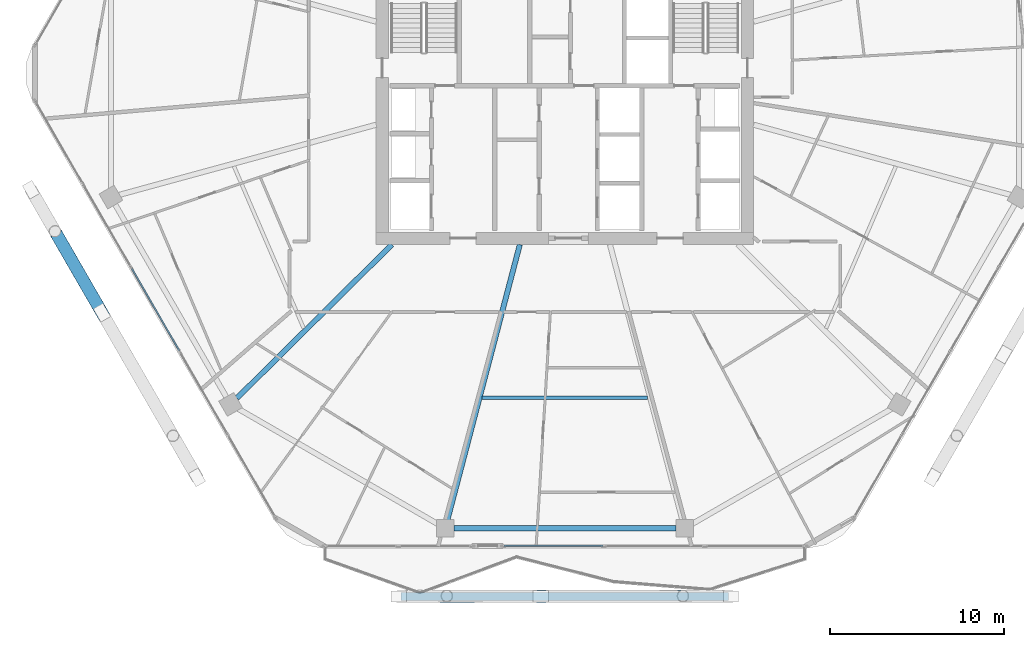
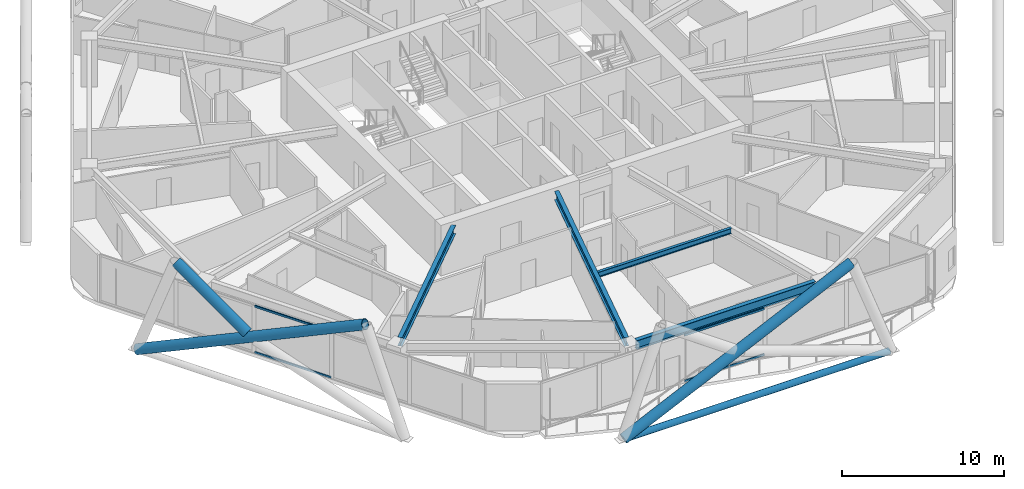
# One storey, part 4 of 29: 8 members, 4 beams, 2 elements without a shape of their own.
"""IFC4 building model written with IfcOpenShell, lengths in metres."""

from ifc_helpers import new_model, si_unit, direction, frame, origin, origin_2d, place, context, subcontext, project, spatial, hollow_rectangle, hollow_circle, i_section, extrude, material, material_profile, profile_set, type_object, element, aggregate, save


model = new_model("IFC4")

# Units and contexts
model_context = context("Model", 3, precision=1e-05, world=origin(), true_north=direction((0.0, 1.0)))
body_context = subcontext(model_context, "Body", "Model", "MODEL_VIEW")
ifc_project = project(units=[si_unit("LENGTHUNIT", "METRE"), si_unit("AREAUNIT", "SQUARE_METRE"), si_unit("VOLUMEUNIT", "CUBIC_METRE"), si_unit("PLANEANGLEUNIT", "RADIAN"), si_unit("MASSUNIT", "GRAM", prefix="KILO")], contexts=[model_context])

# Site, building, storey
site_placement = place(None, origin())
site = spatial("IfcSite", under=ifc_project, at=site_placement, CompositionType="ELEMENT")
building_placement = place(site_placement, origin())
building = spatial("IfcBuilding", under=site, at=building_placement, Name="Zuhravey Tower", CompositionType="ELEMENT")
storey_placement = place(building_placement, frame((0.0, 0.0, 161.800048828125)))
storey = spatial("IfcBuildingStorey", under=building, at=storey_placement, Name="L40", CompositionType="ELEMENT", Elevation=161.800048828125)

# Curtain wall, members
ifc_material_1 = material(Name="Thermally broken anodised aluminium", Category="aluminium")
curtain_wall_type = type_object("IfcCurtainWallType", Name="Zone 1-2 Residential Curtain Wall CW3", PredefinedType="NOTDEFINED", material=ifc_material_1)
curtain_wall_1_placement = place(storey_placement, origin())
curtain_wall_1 = element("IfcCurtainWall", 1, at=curtain_wall_1_placement, inside=storey, type_object=curtain_wall_type, Name="L40 CW3 CW-L40-F5-1", PredefinedType="NOTDEFINED")
ifc_material_2 = material(Name="Anodised aluminium", Category="aluminium")
ifc_material_profile_1 = material_profile(ifc_material_2, hollow_rectangle(XDim=0.090087890625, YDim=0.14990234375, WallThickness=0.0048828125, at=origin_2d()), Name="ALU-RHS-90x150x5")
ifc_profile_set_1 = profile_set([ifc_material_profile_1], Name="Anodised aluminium")
member_type_1 = type_object("IfcMemberType", Name="Curtain-Wall Transom 90x150", PredefinedType="USERDEFINED", material=ifc_profile_set_1)
member_1_placement = place(storey_placement, frame((38.181640625, 4.81689453125, 0.044921875), z_axis=(-1.0, 0.0, 0.0), x_axis=(0.0, -1.0, 0.0)))
member_1 = element("IfcMember", 2, at=member_1_placement, type_object=member_type_1, Name="CW3 transom 3.1", ObjectType="TRANSOM", PredefinedType="USERDEFINED", context=body_context, shape_type="SweptSolid", body=[
    extrude(hollow_rectangle(XDim=0.090087890625, YDim=0.14990234375, WallThickness=0.0048828125, at=origin_2d()), origin(), (0.0, 0.0, 1.0), 5.682373046875),
])
member_2_placement = place(storey_placement, frame((38.181640625, 4.81689453125, 3.5048828125), z_axis=(-1.0, 0.0, 0.0), x_axis=(0.0, -1.0, 0.0)))
member_2 = element("IfcMember", 3, at=member_2_placement, type_object=member_type_1, Name="CW3 transom 3.2", ObjectType="TRANSOM", PredefinedType="USERDEFINED", context=body_context, shape_type="SweptSolid", body=[
    extrude(hollow_rectangle(XDim=0.090087890625, YDim=0.14990234375, WallThickness=0.0048828125, at=origin_2d()), origin(), (0.0, 0.0, 1.0), 5.682373046875),
])
aggregate(curtain_wall_1, [member_1, member_2])

curtain_wall_2_placement = place(storey_placement, origin())
curtain_wall_2 = element("IfcCurtainWall", 4, at=curtain_wall_2_placement, inside=storey, type_object=curtain_wall_type, Name="L40 CW3 CW-L40-F4-1", PredefinedType="NOTDEFINED")
member_3_placement = place(storey_placement, frame((13.822265625, 16.046630859375, 0.044921875), z_axis=(-0.499980763544, 0.866036509673, 0.0), x_axis=(-0.866036509673, -0.499980763544, 0.0)))
member_3 = element("IfcMember", 5, at=member_3_placement, type_object=member_type_1, Name="CW3 transom 3.1", ObjectType="TRANSOM", PredefinedType="USERDEFINED", context=body_context, shape_type="SweptSolid", body=[
    extrude(hollow_rectangle(XDim=0.090087890625, YDim=0.14990234375, WallThickness=0.0048828125, at=origin_2d()), origin(), (0.0, 0.0, 1.0), 5.454345703125),
])
member_4_placement = place(storey_placement, frame((13.822265625, 16.046630859375, 3.5048828125), z_axis=(-0.499980763544, 0.866036509673, 0.0), x_axis=(-0.866036509673, -0.499980763544, 0.0)))
member_4 = element("IfcMember", 6, at=member_4_placement, type_object=member_type_1, Name="CW3 transom 3.2", ObjectType="TRANSOM", PredefinedType="USERDEFINED", context=body_context, shape_type="SweptSolid", body=[
    extrude(hollow_rectangle(XDim=0.090087890625, YDim=0.14990234375, WallThickness=0.0048828125, at=origin_2d()), origin(), (0.0, 0.0, 1.0), 5.454345703125),
])
aggregate(curtain_wall_2, [member_3, member_4])

# Members
ifc_material_3 = material(Name="Steel SM355", Category="steel")
ifc_material_profile_2 = material_profile(ifc_material_3, hollow_circle(Radius=0.228515625, WallThickness=0.02197265625, at=origin_2d()), Name="CHS-457.2x22")
ifc_profile_set_2 = profile_set([ifc_material_profile_2], Name="Steel SM355")
member_type_2 = type_object("IfcMemberType", Name="Exoskeleton Ring Tie CHS457x22", PredefinedType="CHORD", material=ifc_profile_set_2)
member_5_placement = place(storey_placement, frame((26.5849609375, 1.906982421875, -0.464111328125), z_axis=(1.0, 0.0, 0.0), x_axis=(0.0, 1.0, 0.0)))
element("IfcMember", 7, at=member_5_placement, inside=storey, type_object=member_type_2, Name="L40 Exoskeleton Face 5 Tie EXR1", PredefinedType="CHORD", context=body_context, shape_type="SweptSolid", body=[
    extrude(hollow_circle(Radius=0.228515625, WallThickness=0.02197265625, at=origin_2d()), origin(), (0.0, 0.0, 1.0), 18.830078125),
])
ifc_material_4 = material(Name="Steel SM460", Category="steel")
ifc_material_profile_3 = material_profile(ifc_material_4, hollow_circle(Radius=0.355712890625, WallThickness=0.031982421875, at=origin_2d()), Name="CHS-711.2x32")
ifc_profile_set_3 = profile_set([ifc_material_profile_3], Name="Steel SM460")
member_type_3 = type_object("IfcMemberType", Name="Exoskeleton Zone 2 Diagrid CHS711x32", PredefinedType="BRACE", material=ifc_profile_set_3)
member_6_placement = place(storey_placement, frame((5.3125, 25.26611328125, -0.444091796875), z_axis=(0.453338388553, -0.785209877744, 0.421817203724), x_axis=(0.866026715089, 0.499997728747, 0.0)))
element("IfcMember", 8, at=member_6_placement, inside=storey, type_object=member_type_3, Name="L40 Face 4 Diagrid Brace 2", PredefinedType="BRACE", context=body_context, shape_type="SweptSolid", body=[
    extrude(hollow_circle(Radius=0.355712890625, WallThickness=0.031982421875, at=origin_2d()), origin(), (0.0, 0.0, 1.0), 17.922607421875),
])
member_7_placement = place(storey_placement, frame((9.23388671875, 18.47412109375, 3.534912109375), z_axis=(-0.408775424455, 0.70798015044, 0.575905164887), x_axis=(-0.866013277291, -0.500021003115, 0.0)))
element("IfcMember", 9, at=member_7_placement, inside=storey, type_object=member_type_3, Name="L40 Face 4 Split Diagrid Brace 3B", PredefinedType="BRACE", context=body_context, shape_type="SweptSolid", body=[
    extrude(hollow_circle(Radius=0.355712890625, WallThickness=0.031982421875, at=origin_2d()), origin(), (0.0, 0.0, 1.0), 6.205322265625),
])
member_8_placement = place(storey_placement, frame((26.488037109375, 1.906982421875, -0.444091796875), z_axis=(0.906678910824, 0.001661881417, 0.421818196403), x_axis=(-0.001832929613, 0.999998320183, 0.0)))
element("IfcMember", 10, at=member_8_placement, inside=storey, type_object=member_type_3, Name="L40 Face 5 Diagrid Brace 2", PredefinedType="BRACE", context=body_context, shape_type="SweptSolid", body=[
    extrude(hollow_circle(Radius=0.355712890625, WallThickness=0.031982421875, at=origin_2d()), origin(), (0.0, 0.0, 1.0), 17.922607421875),
])

# Beams
ifc_material_profile_4 = material_profile(ifc_material_3, i_section(OverallWidth=0.300048828125, OverallDepth=0.679931640625, WebThickness=0.012939453125, FlangeThickness=0.02197265625, at=origin_2d()), Name="H-680x300x13x22")
ifc_profile_set_4 = profile_set([ifc_material_profile_4], Name="Steel SM355")
beam_type_1 = type_object("IfcBeamType", Name="Perimeter Ring Beam H680x300", PredefinedType="BEAM", material=ifc_profile_set_4)
beam_1_placement = place(storey_placement, frame((29.62109375, 5.826904296875, 3.2099609375), z_axis=(1.0, 0.0, 0.0), x_axis=(0.0, 1.0, 0.0)))
element("IfcBeam", 11, at=beam_1_placement, inside=storey, type_object=beam_type_1, Name="L40 PB2 BM-L40-PB-09", PredefinedType="BEAM", context=body_context, shape_type="SweptSolid", body=[
    extrude(i_section(OverallWidth=0.300048828125, OverallDepth=0.679931640625, WebThickness=0.012939453125, FlangeThickness=0.02197265625, at=origin_2d()), origin(), (0.0, 0.0, 1.0), 12.7578125),
])
ifc_material_profile_5 = material_profile(ifc_material_3, i_section(OverallWidth=0.300048828125, OverallDepth=0.64990234375, WebThickness=0.012939453125, FlangeThickness=0.02197265625, at=origin_2d()), Name="H-650x300x13x22")
ifc_profile_set_5 = profile_set([ifc_material_profile_5], Name="Steel SM355")
beam_type_2 = type_object("IfcBeamType", Name="Radial Primary Girder H650x300", PredefinedType="BEAM", material=ifc_profile_set_5)
beam_2_placement = place(storey_placement, frame((26.054443359375, 22.14697265625, 3.224853515625), z_axis=(-0.71040353357, -0.703794586148, 0.0), x_axis=(0.703794586148, -0.71040353357, 0.0)))
element("IfcBeam", 12, at=beam_2_placement, inside=storey, type_object=beam_type_2, Name="L40 RG2 BM-L40-RAD-08", PredefinedType="BEAM", context=body_context, shape_type="SweptSolid", body=[
    extrude(i_section(OverallWidth=0.300048828125, OverallDepth=0.64990234375, WebThickness=0.012939453125, FlangeThickness=0.02197265625, at=origin_2d()), origin(), (0.0, 0.0, 1.0), 12.559814453125),
])
beam_3_placement = place(storey_placement, frame((33.4091796875, 22.14697265625, 3.224853515625), z_axis=(-0.254300244998, -0.967125320418, 0.0), x_axis=(0.967125320418, -0.254300244998, 0.0)))
element("IfcBeam", 13, at=beam_3_placement, inside=storey, type_object=beam_type_2, Name="L40 RG2 BM-L40-RAD-09", PredefinedType="BEAM", context=body_context, shape_type="SweptSolid", body=[
    extrude(i_section(OverallWidth=0.300048828125, OverallDepth=0.64990234375, WebThickness=0.012939453125, FlangeThickness=0.02197265625, at=origin_2d()), origin(), (0.0, 0.0, 1.0), 16.371826171875),
])
ifc_material_profile_6 = material_profile(ifc_material_3, i_section(OverallWidth=0.199951171875, OverallDepth=0.39990234375, WebThickness=0.008056640625, FlangeThickness=0.012939453125, at=origin_2d()), Name="H-400x200x8x13")
ifc_profile_set_6 = profile_set([ifc_material_profile_6], Name="Steel SM355")
beam_type_3 = type_object("IfcBeamType", Name="Secondary Floor Joist H400x200", PredefinedType="JOIST", material=ifc_profile_set_6)
beam_4_placement = place(storey_placement, frame((31.245849609375, 13.334228515625, 3.349853515625), z_axis=(1.0, 0.0, 0.0), x_axis=(0.0, 1.0, 0.0)))
element("IfcBeam", 14, at=beam_4_placement, inside=storey, type_object=beam_type_3, Name="L40 SJ2 BM-L40-SJ-09-1", PredefinedType="JOIST", context=body_context, shape_type="SweptSolid", body=[
    extrude(i_section(OverallWidth=0.199951171875, OverallDepth=0.39990234375, WebThickness=0.008056640625, FlangeThickness=0.012939453125, at=origin_2d()), origin(), (0.0, 0.0, 1.0), 9.50830078125),
])

save(model, "model.ifc")
